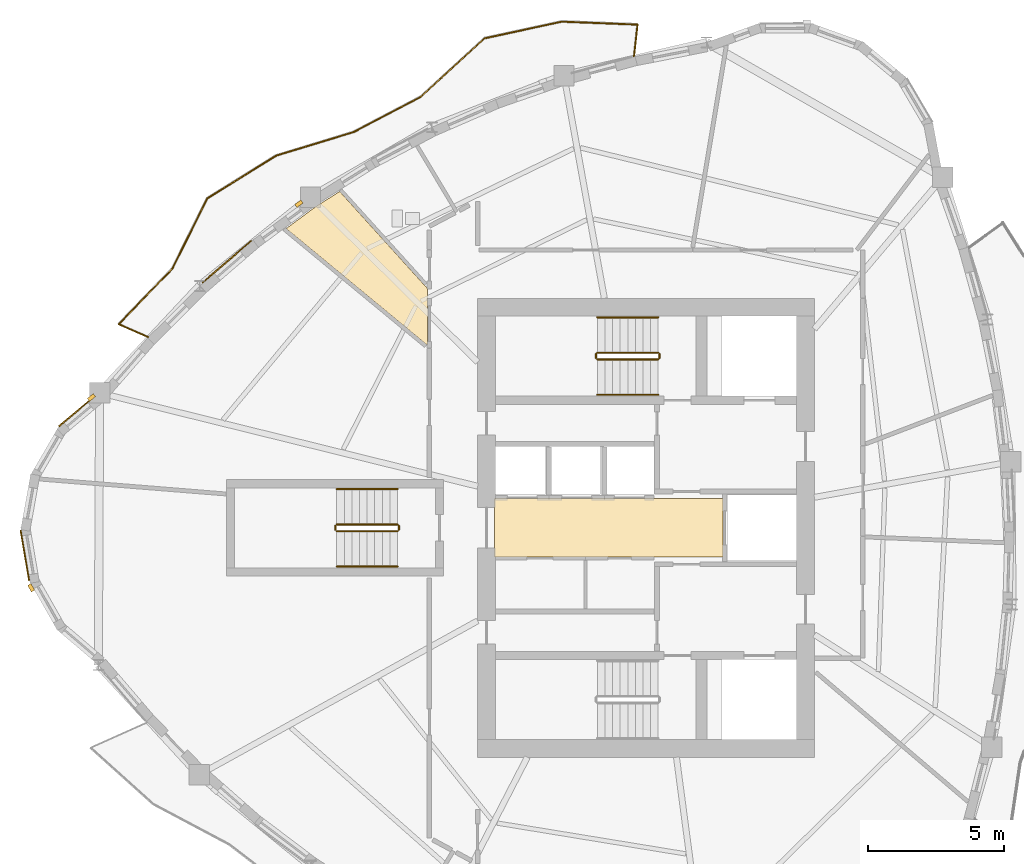
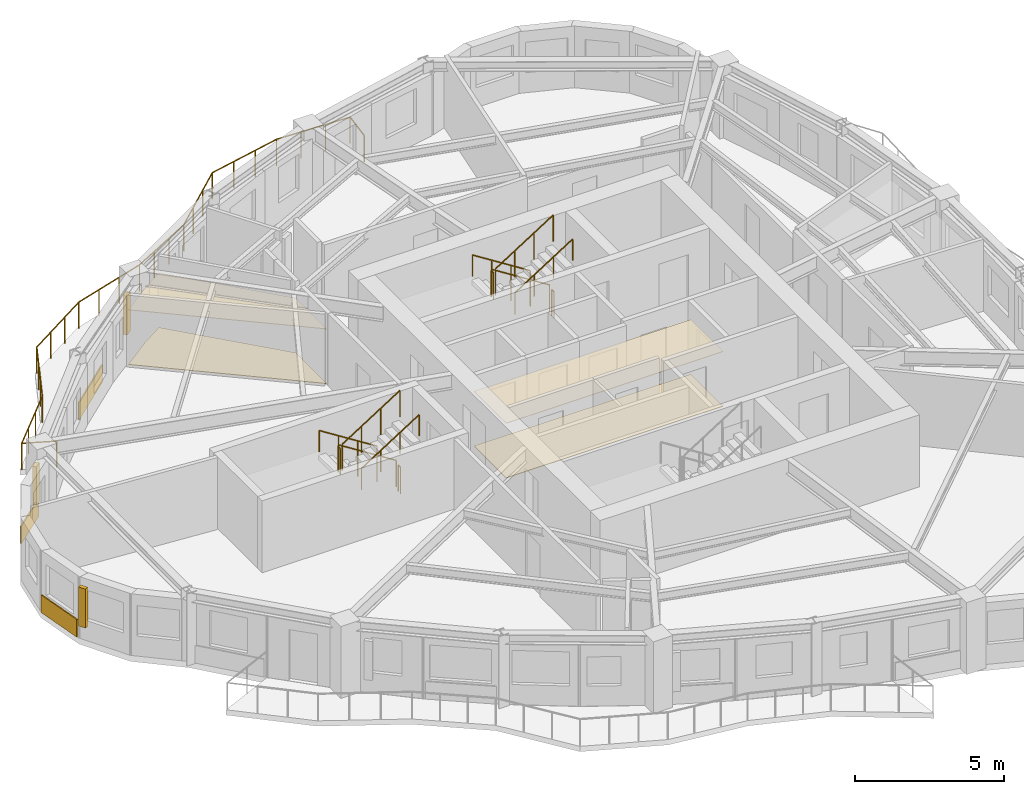
# One storey, part 9 of 11: 13 railings, 7 coverings, 3 shading devices.
"""IFC4 building model written with IfcOpenShell, lengths in metres."""

import ifcopenshell
import ifcopenshell.guid

model = None  # the IFC model being written
_history = None  # IfcOwnerHistory: only IFC2X3 demands one
_inside = {}  # id of a spatial element -> (the spatial element, [elements in it])
_under = {}  # id of a project, library or spatial element -> (it, [spatial elements below it])
_declared = {}  # id of a project -> (the project, [libraries it declares])
_typed = {}  # id of a type object -> (the type object, [elements of that type])
_made_of = {}  # id of a material, layer set ... -> (it, [elements and type objects made of it])


def new_model(schema):
    """Start an empty IFC model of exactly this schema.

    Asked for "IFC4X3", IfcOpenShell would pick the latest addendum, in which some entities
    have other attributes; the version numbers below select the first issue.
    IFC2X3 requires an IfcOwnerHistory on every rooted entity: one is made here for all.
    """
    global model, _history
    if schema == "IFC4X3":
        model = ifcopenshell.file(schema_version=(4, 3, 0, 0))
    else:
        model = ifcopenshell.file(schema=schema)
    _inside.clear()
    _under.clear()
    _declared.clear()
    _typed.clear()
    _made_of.clear()
    _history = None
    if model.schema == "IFC2X3":
        org = make("IfcOrganization", Name="unknown")
        user = make(
            "IfcPersonAndOrganization",
            ThePerson=make("IfcPerson", FamilyName="unknown"),
            TheOrganization=org,
        )
        app = make(
            "IfcApplication",
            ApplicationDeveloper=org,
            Version="unknown",
            ApplicationFullName="unknown",
            ApplicationIdentifier="unknown",
        )
        _history = make(
            "IfcOwnerHistory",
            OwningUser=user,
            OwningApplication=app,
            ChangeAction="ADDED",
            CreationDate=0,
        )
    return model


def make(cls, **values):
    """One entity of the class cls with the attributes given. An attribute that is None is left unset."""
    return model.create_entity(
        cls, **{name: value for name, value in values.items() if value is not None}
    )


def rooted(cls, **values):
    """An entity with a GlobalId (a new one), such as an element, a storey or a relation."""
    return make(cls, GlobalId=ifcopenshell.guid.new(), OwnerHistory=_history, **values)


def si_unit(unit_type, name, prefix=None):
    """IfcSIUnit, for example si_unit("LENGTHUNIT", "METRE", prefix="MILLI")."""
    return make("IfcSIUnit", UnitType=unit_type, Prefix=prefix, Name=name)


def assignment(units):
    """IfcUnitAssignment: the units of a project."""
    return None if units is None else make("IfcUnitAssignment", Units=units)


def point(xyz):
    """IfcCartesianPoint."""
    return None if xyz is None else make("IfcCartesianPoint", Coordinates=xyz)


def direction(xyz):
    """IfcDirection."""
    return None if xyz is None else make("IfcDirection", DirectionRatios=xyz)


def frame(location, z_axis=None, x_axis=None):
    """IfcAxis2Placement3D, a coordinate frame: its origin and axes. An axis left out is left unset."""
    return make(
        "IfcAxis2Placement3D",
        Location=point(location),
        Axis=direction(z_axis),
        RefDirection=direction(x_axis),
    )


def frame_2d(location, x_axis=None):
    """IfcAxis2Placement2D, a coordinate frame in the plane: its origin and x axis."""
    return make(
        "IfcAxis2Placement2D", Location=point(location), RefDirection=direction(x_axis)
    )


def origin():
    """The frame at (0, 0, 0) with its axes left unset."""
    return frame((0.0, 0.0, 0.0))


def origin_2d():
    """The frame at (0, 0) in the plane with its x axis left unset."""
    return frame_2d((0.0, 0.0))


def place(relative_to, where):
    """IfcLocalPlacement: puts the frame where relative to a parent placement (None: the world)."""
    return make(
        "IfcLocalPlacement", PlacementRelTo=relative_to, RelativePlacement=where
    )


def context(
    kind, dimensions, precision=None, world=None, true_north=None, identifier=None
):
    """IfcGeometricRepresentationContext, for example the 3D "Model" context."""
    return make(
        "IfcGeometricRepresentationContext",
        ContextIdentifier=identifier,
        ContextType=kind,
        CoordinateSpaceDimension=dimensions,
        Precision=precision,
        WorldCoordinateSystem=world,
        TrueNorth=true_north,
    )


def subcontext(parent, identifier, kind, view, scale=None):
    """IfcGeometricRepresentationSubContext, for example "Body" below "Model"."""
    return make(
        "IfcGeometricRepresentationSubContext",
        ContextIdentifier=identifier,
        ContextType=kind,
        ParentContext=parent,
        TargetScale=scale,
        TargetView=view,
    )


def project(units=None, contexts=None):
    """IfcProject with its units and contexts."""
    return rooted(
        "IfcProject",
        Name="project",
        RepresentationContexts=contexts,
        UnitsInContext=assignment(units),
    )


def spatial(cls, under=None, at=None, **own):
    """A site, building, storey or space (cls), placed at a placement, below another one or the project."""
    s = rooted(cls, ObjectPlacement=at, **own)
    if under is not None:
        _under.setdefault(under.id(), (under, []))[1].append(s)
    return s


def polyline(points):
    """IfcPolyline through the points."""
    return make("IfcPolyline", Points=[point(p) for p in points])


def profile(cls, at=None, kind="AREA", **sizes):
    """A parametric profile (cls). Its sizes go by their IFC names, for example OverallWidth=200.0."""
    return make(cls, ProfileType=kind, Position=at, **sizes)


def rectangle(**sizes):
    """IfcRectangleProfileDef."""
    return profile("IfcRectangleProfileDef", **sizes)


def circle(**sizes):
    """IfcCircleProfileDef."""
    return profile("IfcCircleProfileDef", **sizes)


def outline(outer, holes=None, kind="AREA"):
    """IfcArbitraryClosedProfileDef: a profile drawn as a closed curve; with holes, ...WithVoids."""
    if holes is None:
        return make("IfcArbitraryClosedProfileDef", ProfileType=kind, OuterCurve=outer)
    return make(
        "IfcArbitraryProfileDefWithVoids",
        ProfileType=kind,
        OuterCurve=outer,
        InnerCurves=holes,
    )


def extrude(swept, where, along, depth):
    """IfcExtrudedAreaSolid: the profile swept, set in the frame where, extruded along a direction by depth."""
    return make(
        "IfcExtrudedAreaSolid",
        SweptArea=swept,
        Position=where,
        ExtrudedDirection=direction(along),
        Depth=depth,
    )


def shape(context_of_items, identifier, shape_type, items):
    """IfcShapeRepresentation: the items that make up one representation, for example the "Body"."""
    return make(
        "IfcShapeRepresentation",
        ContextOfItems=context_of_items,
        RepresentationIdentifier=identifier,
        RepresentationType=shape_type,
        Items=items,
    )


def source(mapping_origin, context_of_items, identifier, shape_type, items):
    """IfcRepresentationMap: a shape defined once, which mapped items show again and again."""
    return make(
        "IfcRepresentationMap",
        MappingOrigin=mapping_origin,
        MappedRepresentation=shape(context_of_items, identifier, shape_type, items),
    )


def transform(
    local_origin,
    x_axis=None,
    y_axis=None,
    z_axis=None,
    scale=None,
    scale2=None,
    scale3=None,
    uniform=True,
):
    """IfcCartesianTransformationOperator3D, or its non-uniform kind. x_axis, y_axis, z_axis: its Axis1, 2, 3."""
    if uniform:
        return make(
            "IfcCartesianTransformationOperator3D",
            Axis1=direction(x_axis),
            Axis2=direction(y_axis),
            LocalOrigin=point(local_origin),
            Scale=scale,
            Axis3=direction(z_axis),
        )
    return make(
        "IfcCartesianTransformationOperator3DnonUniform",
        Axis1=direction(x_axis),
        Axis2=direction(y_axis),
        LocalOrigin=point(local_origin),
        Scale=scale,
        Axis3=direction(z_axis),
        Scale2=scale2,
        Scale3=scale3,
    )


def mapped(mapping_source, mapping_target):
    """IfcMappedItem: shows the shape of a source again, moved by a transform."""
    return make(
        "IfcMappedItem", MappingSource=mapping_source, MappingTarget=mapping_target
    )


def material(Name=None, Category=None):
    """IfcMaterial."""
    return make("IfcMaterial", Name=Name, Category=Category)


def layer(
    of_material, thickness, ventilated=None, Name=None, Category=None, Priority=None
):
    """IfcMaterialLayer: one layer of a wall or slab, of a material (None: an air gap)."""
    return make(
        "IfcMaterialLayer",
        Material=of_material,
        LayerThickness=thickness,
        IsVentilated=ventilated,
        Name=Name,
        Category=Category,
        Priority=Priority,
    )


def layer_set(layers, Name=None):
    """IfcMaterialLayerSet."""
    return make("IfcMaterialLayerSet", MaterialLayers=layers, LayerSetName=Name)


def made_of(thing, what):
    """Note that an element or type object is made of a material, layer set ...; save() writes the relation."""
    if what is not None:
        _made_of.setdefault(what.id(), (what, []))[1].append(thing)
    return thing


def type_object(cls, material=None, **own):
    """A type object (cls), such as IfcWallType, which elements share."""
    return made_of(rooted(cls, **own), material)


def element(
    cls,
    number,
    at=None,
    inside=None,
    cuts=None,
    type_object=None,
    material=None,
    context=None,
    identifier="Body",
    shape_type=None,
    held_by="IfcProductDefinitionShape",
    body=None,
    shapes=None,
    **own,
):
    """One element of the class cls, such as IfcWall. Its Tag is "e" and its number.

    at: its placement. inside: the storey or other place that contains it. cuts: it is an
    opening in that element (IfcRelVoidsElement). A single representation is given by context,
    identifier, shape_type and body (its items); several are given by shapes. held_by: the class
    of the entity that holds the representations. save() writes the other relations.
    """
    e = rooted(cls, Tag="e%d" % number, ObjectPlacement=at, **own)
    if body is not None:
        shapes = [shape(context, identifier, shape_type, body)]
    if shapes is not None:
        e.Representation = make(held_by, Representations=shapes)
    if inside is not None:
        _inside.setdefault(inside.id(), (inside, []))[1].append(e)
    if cuts is not None:
        rooted(
            "IfcRelVoidsElement", RelatingBuildingElement=cuts, RelatedOpeningElement=e
        )
    if type_object is not None:
        _typed.setdefault(type_object.id(), (type_object, []))[1].append(e)
    return made_of(e, material)


def aggregate(whole, parts):
    """IfcRelAggregates: a whole, such as a stair, and the parts it consists of."""
    return rooted("IfcRelAggregates", RelatingObject=whole, RelatedObjects=parts)


def save(model, path):
    """Write the relations noted so far, then the file.

    IfcRelAggregates (storeys below a building ...), IfcRelContainedInSpatialStructure (elements
    in a storey), IfcRelDefinesByType, IfcRelAssociatesMaterial and IfcRelDeclares: one each for
    every whole, place, type object, material and project.
    """
    for whole, parts in _under.values():
        aggregate(whole, parts)
    for where, things in _inside.values():
        rooted(
            "IfcRelContainedInSpatialStructure",
            RelatedElements=things,
            RelatingStructure=where,
        )
    for kind, things in _typed.values():
        rooted("IfcRelDefinesByType", RelatedObjects=things, RelatingType=kind)
    for what, things in _made_of.values():
        rooted("IfcRelAssociatesMaterial", RelatedObjects=things, RelatingMaterial=what)
    for by, libraries in _declared.values():
        rooted("IfcRelDeclares", RelatingContext=by, RelatedDefinitions=libraries)
    model.write(path)


model = new_model("IFC4")

# Units and contexts
model_context = context("Model", 3, precision=1e-05, world=origin(), true_north=direction((0.0, 1.0)))
body_context = subcontext(model_context, "Body", "Model", "MODEL_VIEW")
ifc_project = project(units=[si_unit("LENGTHUNIT", "METRE"), si_unit("AREAUNIT", "SQUARE_METRE"), si_unit("VOLUMEUNIT", "CUBIC_METRE"), si_unit("PLANEANGLEUNIT", "RADIAN"), si_unit("MASSUNIT", "GRAM", prefix="KILO")], contexts=[model_context])

# Site, building, storey
site_placement = place(None, origin())
site = spatial("IfcSite", under=ifc_project, at=site_placement, CompositionType="ELEMENT")
building_placement = place(site_placement, origin())
building = spatial("IfcBuilding", under=site, at=building_placement, Name="Qafzar Sky-Pleat Residences", CompositionType="ELEMENT")
storey_placement = place(building_placement, frame((0.0, 0.0, 165.0)))
storey = spatial("IfcBuildingStorey", under=building, at=storey_placement, Name="L49", CompositionType="ELEMENT", Elevation=165.0)

# Coverings
ifc_material_1 = material(Name="Perforated acoustic gypsum board ceiling")
ifc_layer_1 = layer(ifc_material_1, 0.02001953125)
ifc_layer_set_1 = layer_set([ifc_layer_1], Name="Perforated acoustic gypsum board ceiling")
covering_type_1 = type_object("IfcCoveringType", Name="COV-CEIL-ACOUSTIC", PredefinedType="CEILING", material=ifc_layer_set_1)
covering_1_placement = place(storey_placement, frame((0.0, 0.0, 2.239990234375)))
element("IfcCovering", 1, at=covering_1_placement, inside=storey, type_object=covering_type_1, Name="L49 Passenger Lift Lobby Acoustic Ceiling", PredefinedType="CEILING", context=body_context, shape_type="SweptSolid", body=[
    extrude(outline(polyline([(33.179931640625, 24.919921875), (24.77001953125, 24.919921875), (24.77001953125, 27.080078125), (33.179931640625, 27.080078125), (33.179931640625, 24.919921875)])), origin(), (0.0, 0.0, 1.0), 0.02001953125),
])
covering_2_placement = place(storey_placement, frame((0.0, 0.0, 2.239990234375)))
element("IfcCovering", 2, at=covering_2_placement, inside=storey, type_object=covering_type_1, Name="L49 Scholar Study Room Acoustic Ceiling", PredefinedType="CEILING", context=body_context, shape_type="SweptSolid", body=[
    extrude(outline(polyline([(19.0703125, 38.385498046875), (22.31005859375, 34.802490234375), (22.31005859375, 32.716796875), (17.097900390625, 37.020751953125), (18.2138671875, 37.8466796875), (19.0703125, 38.385498046875)])), origin(), (0.0, 0.0, 1.0), 0.02001953125),
])
ifc_material_2 = material(Name="Honed porcelain and Riyadh stone tile flooring", Category="masonry")
ifc_layer_2 = layer(ifc_material_2, 0.02001953125)
ifc_layer_set_2 = layer_set([ifc_layer_2], Name="Honed porcelain and Riyadh stone tile flooring")
covering_type_2 = type_object("IfcCoveringType", Name="COV-FLR-PORCELAIN", PredefinedType="FLOORING", material=ifc_layer_set_2)
covering_3_placement = place(storey_placement, origin())
element("IfcCovering", 3, at=covering_3_placement, inside=storey, type_object=covering_type_2, Name="L49 Passenger Lift Lobby Honed Stone Flooring", PredefinedType="FLOORING", context=body_context, shape_type="SweptSolid", body=[
    extrude(outline(polyline([(33.179931640625, 24.919921875), (24.77001953125, 24.919921875), (24.77001953125, 27.080078125), (33.179931640625, 27.080078125), (33.179931640625, 24.919921875)])), origin(), (0.0, 0.0, 1.0), 0.02001953125),
])
covering_4_placement = place(storey_placement, origin())
element("IfcCovering", 4, at=covering_4_placement, inside=storey, type_object=covering_type_2, Name="L49 Scholar Study Room Honed Stone Flooring", PredefinedType="FLOORING", context=body_context, shape_type="SweptSolid", body=[
    extrude(outline(polyline([(19.0703125, 38.385498046875), (22.31005859375, 34.802490234375), (22.31005859375, 32.716796875), (17.097900390625, 37.020751953125), (18.2138671875, 37.8466796875), (19.0703125, 38.385498046875)])), origin(), (0.0, 0.0, 1.0), 0.02001953125),
])

# Shading devices
ifc_material_3 = material(Name="Honed Riyadh limestone solar fin", Category="masonry")
ifc_layer_3 = layer(ifc_material_3, 0.139892578125)
ifc_layer_set_3 = layer_set([ifc_layer_3], Name="Honed Riyadh limestone solar fin")
shading_device_type = type_object("IfcShadingDeviceType", Name="SHD-FIN-STONE", PredefinedType="SHUTTER", material=ifc_layer_set_3)
shared_shape_1 = source(origin(), body_context, "Body", "SweptSolid", [
    extrude(rectangle(XDim=0.139892578125, YDim=0.280029296875, at=origin_2d()), origin(), (0.0, 0.0, 1.0), 1.60009765625),
])
for number, where, z_axis, x_axis, name in (
    (5, (9.927001953125, 30.79931640625, 0.599853515625), (0.0, 0.0, 1.0), (-0.642173926269, 0.766558966042, 0.0), "L49 Limestone Solar Fin 1"),
    (6, (7.70654296875, 23.7919921875, 0.599853515625), (0.0, 0.0, 1.0), (-0.869636147996, -0.493693194301, 0.0), "L49 Limestone Solar Fin 5"),
    (7, (17.567138671875, 37.93408203125, 0.599853515625), (0.0, 0.0, 1.0), (-0.594863896684, 0.80382643924, 0.0), "L49 Limestone Solar Fin 45"),
):
    element("IfcShadingDevice", number, at=place(storey_placement, frame(where, z_axis=z_axis, x_axis=x_axis)), inside=storey, type_object=shading_device_type, Name=name, PredefinedType="SHUTTER", context=body_context, shape_type="MappedRepresentation", body=[
        mapped(shared_shape_1, transform((0.0, 0.0, 0.0), x_axis=(1.0, 0.0, 0.0), y_axis=(0.0, 1.0, 0.0), z_axis=(0.0, 0.0, 1.0), scale=1.0)),
    ])

# Coverings
ifc_material_4 = material(Name="Honed Riyadh Tuwaiq limestone cladding", Category="masonry")
ifc_layer_4 = layer(ifc_material_4, 0.044921875)
ifc_layer_set_4 = layer_set([ifc_layer_4], Name="Honed Riyadh Tuwaiq limestone cladding")
covering_type_3 = type_object("IfcCoveringType", Name="COV-CLAD-STONE", PredefinedType="CLADDING", material=ifc_layer_set_4)
shared_shape_2 = source(origin(), body_context, "Body", "SweptSolid", [
    extrude(rectangle(XDim=1.873046875, YDim=0.044921875, at=origin_2d()), origin(), (0.0, 0.0, 1.0), 0.719970703125),
])
covering_5_placement = place(storey_placement, frame((7.475341796875, 24.98046875, 0.02001953125), z_axis=(0.0, 0.0, 1.0), x_axis=(0.168083505524, -0.985772760412, 0.0)))
element("IfcCovering", 8, at=covering_5_placement, inside=storey, type_object=covering_type_3, Name="L49 Riyadh Limestone Spandrel Cladding 4", PredefinedType="CLADDING", context=body_context, shape_type="MappedRepresentation", body=[
    mapped(shared_shape_2, transform((0.0, 0.0, 0.0), x_axis=(1.0, 0.0, 0.0), y_axis=(0.0, 1.0, 0.0), z_axis=(0.0, 0.0, 1.0), scale=1.0)),
])
shared_shape_3 = source(origin(), body_context, "Body", "SweptSolid", [
    extrude(rectangle(XDim=1.69921875, YDim=0.044921875, at=origin_2d()), origin(), (0.0, 0.0, 1.0), 0.719970703125),
])
covering_6_placement = place(storey_placement, frame((9.371826171875, 30.2783203125, 0.02001953125), z_axis=(0.0, 0.0, 1.0), x_axis=(-0.766595170589, -0.642130706655, 0.0)))
element("IfcCovering", 9, at=covering_6_placement, inside=storey, type_object=covering_type_3, Name="L49 Riyadh Limestone Spandrel Cladding 1", PredefinedType="CLADDING", context=body_context, shape_type="MappedRepresentation", body=[
    mapped(shared_shape_3, transform((0.0, 0.0, 0.0), x_axis=(1.0, 0.0, 0.0), y_axis=(0.0, 1.0, 0.0), z_axis=(0.0, 0.0, 1.0), scale=1.0)),
])

# Railing
ifc_material_5 = material(Name="Laminated glass and bronze steel balustrade", Category="steel")
railing_type_1 = type_object("IfcRailingType", Name="RAIL-BAL-1100", PredefinedType="BALUSTRADE", material=ifc_material_5)
shared_shape_4 = source(origin(), body_context, "Body", "SweptSolid", [
    extrude(circle(Radius=0.02392578125, at=origin_2d()), frame((0.0, 0.0, 1.076171875), z_axis=(0.10940804142, 0.993996921762, 0.0), x_axis=(-0.993996921762, 0.10940804142, 0.0)), (0.0, 0.0, 1.0), 1.17822265625),
    extrude(circle(Radius=0.02392578125, at=origin_2d()), frame((0.12890625, 1.171142578125, 1.076171875), z_axis=(-0.999232085021, 0.039182142152, 0.0), x_axis=(-0.039182142152, -0.999232085021, 0.0)), (0.0, 0.0, 1.0), 2.79150390625),
    extrude(circle(Radius=0.02392578125, at=origin_2d()), frame((-2.660400390625, 1.280517578125, 1.076171875), z_axis=(-0.977426795967, -0.211274367884, 0.0), x_axis=(0.211274367884, -0.977426795967, 0.0)), (0.0, 0.0, 1.0), 2.9130859375),
    extrude(circle(Radius=0.02392578125, at=origin_2d()), frame((-5.5078125, 0.6650390625, 1.076171875), z_axis=(-0.736681363217, -0.676240023283, 0.0), x_axis=(0.676240023283, -0.736681363217, 0.0)), (0.0, 0.0, 1.0), 3.195068359375),
    extrude(circle(Radius=0.02392578125, at=origin_2d()), frame((-7.861572265625, -1.49560546875, 1.076171875), z_axis=(-0.88583325501, -0.464003711536, 0.0), x_axis=(0.464003711536, -0.88583325501, 0.0)), (0.0, 0.0, 1.0), 2.778564453125),
    extrude(circle(Radius=0.02392578125, at=origin_2d()), frame((-10.322998046875, -2.784912109375, 1.076171875), z_axis=(-0.956665955369, -0.291187653994, 0.0), x_axis=(0.291187653994, -0.956665955369, 0.0)), (0.0, 0.0, 1.0), 2.98486328125),
    extrude(circle(Radius=0.02392578125, at=origin_2d()), frame((-13.178466796875, -3.654052734375, 1.076171875), z_axis=(-0.849691907904, -0.527279491013, 0.0), x_axis=(0.527279491013, -0.849691907904, 0.0)), (0.0, 0.0, 1.0), 2.98876953125),
    extrude(circle(Radius=0.02392578125, at=origin_2d()), frame((-15.718017578125, -5.22998046875, 1.076171875), z_axis=(-0.443860567831, -0.896095863357, 0.0), x_axis=(0.896095863357, -0.443860567831, 0.0)), (0.0, 0.0, 1.0), 2.885986328125),
    extrude(circle(Radius=0.02392578125, at=origin_2d()), frame((-16.9990234375, -7.816162109375, 1.076171875), z_axis=(-0.695369906362, -0.718651997371, 0.0), x_axis=(0.718651997371, -0.695369906362, 0.0)), (0.0, 0.0, 1.0), 2.841796875),
    extrude(circle(Radius=0.02392578125, at=origin_2d()), frame((-18.97509765625, -9.8583984375, 1.076171875), z_axis=(0.915461631007, -0.402405271031, 0.0), x_axis=(0.402405271031, 0.915461631007, 0.0)), (0.0, 0.0, 1.0), 1.17822265625),
    extrude(circle(Radius=0.02099609375, at=origin_2d()), origin(), (0.0, 0.0, 1.0), 1.052001953125),
    extrude(circle(Radius=0.02099609375, at=origin_2d()), frame((0.12890625, 1.171142578125, 0.0)), (0.0, 0.0, 1.0), 1.052001953125),
    extrude(circle(Radius=0.02099609375, at=origin_2d()), frame((-0.80078125, 1.20751953125, 0.0)), (0.0, 0.0, 1.0), 1.052001953125),
    extrude(circle(Radius=0.02099609375, at=origin_2d()), frame((-1.730712890625, 1.244140625, 0.0)), (0.0, 0.0, 1.0), 1.052001953125),
    extrude(circle(Radius=0.02099609375, at=origin_2d()), frame((-2.660400390625, 1.280517578125, 0.0)), (0.0, 0.0, 1.0), 1.052001953125),
    extrude(circle(Radius=0.02099609375, at=origin_2d()), frame((-3.609619140625, 1.075439453125, 0.0)), (0.0, 0.0, 1.0), 1.052001953125),
    extrude(circle(Radius=0.02099609375, at=origin_2d()), frame((-4.55859375, 0.8701171875, 0.0)), (0.0, 0.0, 1.0), 1.052001953125),
    extrude(circle(Radius=0.02099609375, at=origin_2d()), frame((-5.5078125, 0.6650390625, 0.0)), (0.0, 0.0, 1.0), 1.052001953125),
    extrude(circle(Radius=0.02099609375, at=origin_2d()), frame((-6.29248046875, -0.05517578125, 0.0)), (0.0, 0.0, 1.0), 1.052001953125),
    extrude(circle(Radius=0.02099609375, at=origin_2d()), frame((-7.076904296875, -0.775390625, 0.0)), (0.0, 0.0, 1.0), 1.052001953125),
    extrude(circle(Radius=0.02099609375, at=origin_2d()), frame((-7.861572265625, -1.49560546875, 0.0)), (0.0, 0.0, 1.0), 1.052001953125),
    extrude(circle(Radius=0.02099609375, at=origin_2d()), frame((-8.68212890625, -1.92529296875, 0.0)), (0.0, 0.0, 1.0), 1.052001953125),
    extrude(circle(Radius=0.02099609375, at=origin_2d()), frame((-9.50244140625, -2.355224609375, 0.0)), (0.0, 0.0, 1.0), 1.052001953125),
    extrude(circle(Radius=0.02099609375, at=origin_2d()), frame((-10.322998046875, -2.784912109375, 0.0)), (0.0, 0.0, 1.0), 1.052001953125),
    extrude(circle(Radius=0.02099609375, at=origin_2d()), frame((-11.27490234375, -3.07470703125, 0.0)), (0.0, 0.0, 1.0), 1.052001953125),
    extrude(circle(Radius=0.02099609375, at=origin_2d()), frame((-12.2265625, -3.3642578125, 0.0)), (0.0, 0.0, 1.0), 1.052001953125),
    extrude(circle(Radius=0.02099609375, at=origin_2d()), frame((-13.178466796875, -3.654052734375, 0.0)), (0.0, 0.0, 1.0), 1.052001953125),
    extrude(circle(Radius=0.02099609375, at=origin_2d()), frame((-14.02490234375, -4.179443359375, 0.0)), (0.0, 0.0, 1.0), 1.052001953125),
    extrude(circle(Radius=0.02099609375, at=origin_2d()), frame((-14.87158203125, -4.70458984375, 0.0)), (0.0, 0.0, 1.0), 1.052001953125),
    extrude(circle(Radius=0.02099609375, at=origin_2d()), frame((-15.718017578125, -5.22998046875, 0.0)), (0.0, 0.0, 1.0), 1.052001953125),
    extrude(circle(Radius=0.02099609375, at=origin_2d()), frame((-16.14501953125, -6.092041015625, 0.0)), (0.0, 0.0, 1.0), 1.052001953125),
    extrude(circle(Radius=0.02099609375, at=origin_2d()), frame((-16.572021484375, -6.9541015625, 0.0)), (0.0, 0.0, 1.0), 1.052001953125),
    extrude(circle(Radius=0.02099609375, at=origin_2d()), frame((-16.9990234375, -7.816162109375, 0.0)), (0.0, 0.0, 1.0), 1.052001953125),
    extrude(circle(Radius=0.02099609375, at=origin_2d()), frame((-17.65771484375, -8.496826171875, 0.0)), (0.0, 0.0, 1.0), 1.052001953125),
    extrude(circle(Radius=0.02099609375, at=origin_2d()), frame((-18.31640625, -9.177734375, 0.0)), (0.0, 0.0, 1.0), 1.052001953125),
    extrude(circle(Radius=0.02099609375, at=origin_2d()), frame((-18.97509765625, -9.8583984375, 0.0)), (0.0, 0.0, 1.0), 1.052001953125),
    extrude(circle(Radius=0.02099609375, at=origin_2d()), frame((-17.896484375, -10.33251953125, 0.0)), (0.0, 0.0, 1.0), 1.052001953125),
])
railing_placement = place(storey_placement, frame((29.908203125, 43.35986328125, 0.0)))
element("IfcRailing", 10, at=railing_placement, inside=storey, type_object=railing_type_1, Name="L49 Pleated Balcony 2 Balustrade", PredefinedType="BALUSTRADE", context=body_context, shape_type="MappedRepresentation", body=[
    mapped(shared_shape_4, transform((0.0, 0.0, 0.0), x_axis=(1.0, 0.0, 0.0), y_axis=(0.0, 1.0, 0.0), z_axis=(0.0, 0.0, 1.0), scale=1.0)),
])

# Covering
shared_shape_5 = source(origin(), body_context, "Body", "SweptSolid", [
    extrude(rectangle(XDim=2.381103515625, YDim=0.044921875, at=origin_2d()), origin(), (0.0, 0.0, 1.0), 0.719970703125),
])
covering_7_placement = place(storey_placement, frame((14.91748046875, 35.801025390625, 0.02001953125), z_axis=(0.0, 0.0, 1.0), x_axis=(-0.757482150574, -0.652855873498, 0.0)))
element("IfcCovering", 11, at=covering_7_placement, inside=storey, type_object=covering_type_3, Name="L49 Riyadh Limestone Spandrel Cladding 46", PredefinedType="CLADDING", context=body_context, shape_type="MappedRepresentation", body=[
    mapped(shared_shape_5, transform((0.0, 0.0, 0.0), x_axis=(1.0, 0.0, 0.0), y_axis=(0.0, 1.0, 0.0), z_axis=(0.0, 0.0, 1.0), scale=1.0)),
])

# Railings
ifc_material_6 = material(Name="Painted Steel S355 stair guardrail", Category="steel")
railing_type_2 = type_object("IfcRailingType", Name="RAIL-STAIR-GUARD", PredefinedType="GUARDRAIL", material=ifc_material_6)
shared_shape_6 = source(origin(), body_context, "Body", "SweptSolid", [
    extrude(circle(Radius=0.02392578125, at=origin_2d()), frame((0.0, 0.0, 1.076171875), z_axis=(0.0, -1.0, 0.0), x_axis=(1.0, 0.0, 0.0)), (0.0, 0.0, 1.0), 0.14990234375),
    extrude(circle(Radius=0.02099609375, at=origin_2d()), origin(), (0.0, 0.0, 1.0), 1.052001953125),
    extrude(circle(Radius=0.02099609375, at=origin_2d()), frame((0.0, -0.14990234375, 0.0)), (0.0, 0.0, 1.0), 1.052001953125),
])
for number, where, name in (
    (12, (28.510009765625, 32.39990234375, 1.60009765625), "L49 ST2 stair guard 2"),
    (13, (30.85009765625, 32.39990234375, 0.0), "L49 ST2 stair guard 4"),
    (14, (18.909912109375, 26.074951171875, 1.60009765625), "L49 ST3 stair guard 2"),
    (15, (21.25, 26.074951171875, 0.0), "L49 ST3 stair guard 4"),
):
    element("IfcRailing", number, at=place(storey_placement, frame(where)), inside=storey, type_object=railing_type_2, Name=name, PredefinedType="GUARDRAIL", context=body_context, shape_type="MappedRepresentation", body=[
        mapped(shared_shape_6, transform((0.0, 0.0, 0.0), x_axis=(1.0, 0.0, 0.0), y_axis=(0.0, 1.0, 0.0), z_axis=(0.0, 0.0, 1.0), scale=1.0)),
    ])
shared_shape_7 = source(origin(), body_context, "Body", "SweptSolid", [
    extrude(circle(Radius=0.02392578125, at=origin_2d()), frame((0.0, 0.0, 1.076171875), z_axis=(0.8442293374, 0.0, 0.53598211339), x_axis=(0.0, 1.0, 0.0)), (0.0, 0.0, 1.0), 2.6533203125),
    extrude(circle(Radius=0.02099609375, at=origin_2d()), origin(), (0.0, 0.0, 1.0), 1.052001953125),
    extrude(circle(Radius=0.02099609375, at=origin_2d()), frame((0.74658203125, 0.0, 0.47412109375)), (0.0, 0.0, 1.0), 1.052001953125),
    extrude(circle(Radius=0.02099609375, at=origin_2d()), frame((1.493408203125, 0.0, 0.947998046875)), (0.0, 0.0, 1.0), 1.052001953125),
    extrude(circle(Radius=0.02099609375, at=origin_2d()), frame((2.239990234375, 0.0, 1.422119140625)), (0.0, 0.0, 1.0), 1.052001953125),
])
for number, where, name in (
    (16, (28.56005859375, 32.199951171875, 1.77783203125), "L49 ST2 stair guard 3"),
    (17, (18.9599609375, 25.875, 1.77783203125), "L49 ST3 stair guard 3"),
):
    element("IfcRailing", number, at=place(storey_placement, frame(where)), inside=storey, type_object=railing_type_2, Name=name, PredefinedType="GUARDRAIL", context=body_context, shape_type="MappedRepresentation", body=[
        mapped(shared_shape_7, transform((0.0, 0.0, 0.0), x_axis=(1.0, 0.0, 0.0), y_axis=(0.0, 1.0, 0.0), z_axis=(0.0, 0.0, 1.0), scale=1.0)),
    ])
ifc_material_7 = material(Name="Brushed stainless steel handrail", Category="steel")
railing_type_3 = type_object("IfcRailingType", Name="RAIL-STAIR-HAND", PredefinedType="HANDRAIL", material=ifc_material_7)
shared_shape_8 = source(origin(), body_context, "Body", "SweptSolid", [
    extrude(circle(Radius=0.02392578125, at=origin_2d()), frame((0.0, 0.0, 0.8759765625), z_axis=(0.8442293374, 0.0, 0.53598211339), x_axis=(0.0, 1.0, 0.0)), (0.0, 0.0, 1.0), 2.6533203125),
    extrude(circle(Radius=0.02099609375, at=origin_2d()), origin(), (0.0, 0.0, 1.0), 0.851806640625),
    extrude(circle(Radius=0.02099609375, at=origin_2d()), frame((0.74658203125, 0.0, 0.47412109375)), (0.0, 0.0, 1.0), 0.851806640625),
    extrude(circle(Radius=0.02099609375, at=origin_2d()), frame((1.493408203125, 0.0, 0.947998046875)), (0.0, 0.0, 1.0), 0.851806640625),
    extrude(circle(Radius=0.02099609375, at=origin_2d()), frame((2.239990234375, 0.0, 1.422119140625)), (0.0, 0.0, 1.0), 0.851806640625),
])
for number, where, name in (
    (18, (28.56005859375, 30.89990234375, 1.77783203125), "L49 ST2 stair handrail 2"),
    (19, (18.9599609375, 24.574951171875, 1.77783203125), "L49 ST3 stair handrail 2"),
):
    element("IfcRailing", number, at=place(storey_placement, frame(where)), inside=storey, type_object=railing_type_3, Name=name, PredefinedType="HANDRAIL", context=body_context, shape_type="MappedRepresentation", body=[
        mapped(shared_shape_8, transform((0.0, 0.0, 0.0), x_axis=(1.0, 0.0, 0.0), y_axis=(0.0, 1.0, 0.0), z_axis=(0.0, 0.0, 1.0), scale=1.0)),
    ])
shared_shape_9 = source(origin(), body_context, "Body", "SweptSolid", [
    extrude(circle(Radius=0.02392578125, at=origin_2d()), frame((0.0, 0.0, 1.076171875), z_axis=(-0.84418770128, 0.0, 0.536047689118), x_axis=(0.0, -1.0, 0.0)), (0.0, 0.0, 1.0), 2.6533203125),
    extrude(circle(Radius=0.02099609375, at=origin_2d()), origin(), (0.0, 0.0, 1.0), 1.052001953125),
    extrude(circle(Radius=0.02099609375, at=origin_2d()), frame((-0.74658203125, 0.0, 0.47412109375)), (0.0, 0.0, 1.0), 1.052001953125),
    extrude(circle(Radius=0.02099609375, at=origin_2d()), frame((-1.493408203125, 0.0, 0.9482421875)), (0.0, 0.0, 1.0), 1.052001953125),
    extrude(circle(Radius=0.02099609375, at=origin_2d()), frame((-2.239990234375, 0.0, 1.42236328125)), (0.0, 0.0, 1.0), 1.052001953125),
])
for number, where, name in (
    (20, (30.800048828125, 32.449951171875, 0.177734375), "L49 ST2 stair guard 1"),
    (21, (21.199951171875, 26.125, 0.177734375), "L49 ST3 stair guard 1"),
):
    element("IfcRailing", number, at=place(storey_placement, frame(where)), inside=storey, type_object=railing_type_2, Name=name, PredefinedType="GUARDRAIL", context=body_context, shape_type="MappedRepresentation", body=[
        mapped(shared_shape_9, transform((0.0, 0.0, 0.0), x_axis=(1.0, 0.0, 0.0), y_axis=(0.0, 1.0, 0.0), z_axis=(0.0, 0.0, 1.0), scale=1.0)),
    ])
shared_shape_10 = source(origin(), body_context, "Body", "SweptSolid", [
    extrude(circle(Radius=0.02392578125, at=origin_2d()), frame((0.0, 0.0, 0.8759765625), z_axis=(-0.84418770128, 0.0, 0.536047689118), x_axis=(0.0, -1.0, 0.0)), (0.0, 0.0, 1.0), 2.6533203125),
    extrude(circle(Radius=0.02099609375, at=origin_2d()), origin(), (0.0, 0.0, 1.0), 0.851806640625),
    extrude(circle(Radius=0.02099609375, at=origin_2d()), frame((-0.74658203125, 0.0, 0.47412109375)), (0.0, 0.0, 1.0), 0.851806640625),
    extrude(circle(Radius=0.02099609375, at=origin_2d()), frame((-1.493408203125, 0.0, 0.9482421875)), (0.0, 0.0, 1.0), 0.851806640625),
    extrude(circle(Radius=0.02099609375, at=origin_2d()), frame((-2.239990234375, 0.0, 1.42236328125)), (0.0, 0.0, 1.0), 0.851806640625),
])
for number, where, name in (
    (22, (30.800048828125, 33.75, 0.177734375), "L49 ST2 stair handrail 1"),
    (23, (21.199951171875, 27.425048828125, 0.177734375), "L49 ST3 stair handrail 1"),
):
    element("IfcRailing", number, at=place(storey_placement, frame(where)), inside=storey, type_object=railing_type_3, Name=name, PredefinedType="HANDRAIL", context=body_context, shape_type="MappedRepresentation", body=[
        mapped(shared_shape_10, transform((0.0, 0.0, 0.0), x_axis=(1.0, 0.0, 0.0), y_axis=(0.0, 1.0, 0.0), z_axis=(0.0, 0.0, 1.0), scale=1.0)),
    ])

save(model, "model.ifc")
